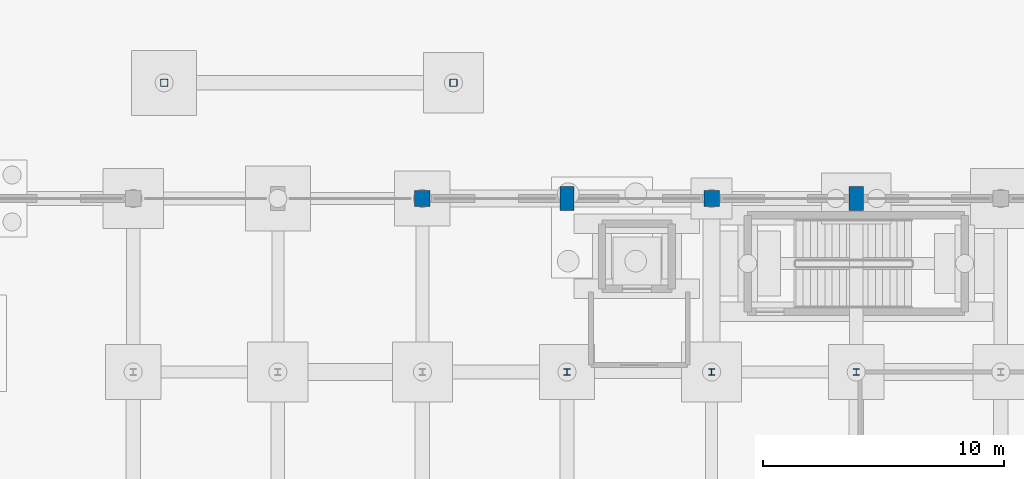
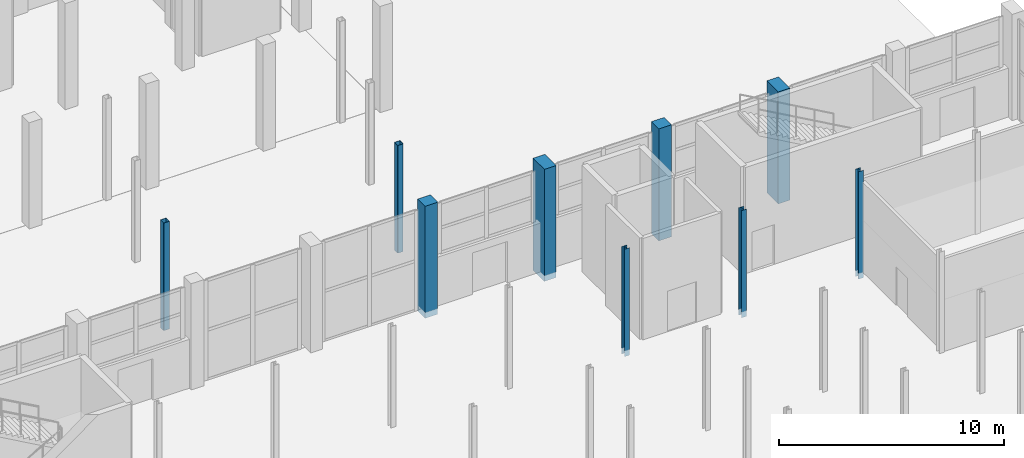
# One storey, part 33 of 103: 9 columns.
"""IFC4 building model written with IfcOpenShell, lengths in metres."""

import ifcopenshell
import ifcopenshell.guid

model = None  # the IFC model being written
_history = None  # IfcOwnerHistory: only IFC2X3 demands one
_inside = {}  # id of a spatial element -> (the spatial element, [elements in it])
_under = {}  # id of a project, library or spatial element -> (it, [spatial elements below it])
_declared = {}  # id of a project -> (the project, [libraries it declares])
_typed = {}  # id of a type object -> (the type object, [elements of that type])
_made_of = {}  # id of a material, layer set ... -> (it, [elements and type objects made of it])


def new_model(schema):
    """Start an empty IFC model of exactly this schema.

    Asked for "IFC4X3", IfcOpenShell would pick the latest addendum, in which some entities
    have other attributes; the version numbers below select the first issue.
    IFC2X3 requires an IfcOwnerHistory on every rooted entity: one is made here for all.
    """
    global model, _history
    if schema == "IFC4X3":
        model = ifcopenshell.file(schema_version=(4, 3, 0, 0))
    else:
        model = ifcopenshell.file(schema=schema)
    _inside.clear()
    _under.clear()
    _declared.clear()
    _typed.clear()
    _made_of.clear()
    _history = None
    if model.schema == "IFC2X3":
        org = make("IfcOrganization", Name="unknown")
        user = make(
            "IfcPersonAndOrganization",
            ThePerson=make("IfcPerson", FamilyName="unknown"),
            TheOrganization=org,
        )
        app = make(
            "IfcApplication",
            ApplicationDeveloper=org,
            Version="unknown",
            ApplicationFullName="unknown",
            ApplicationIdentifier="unknown",
        )
        _history = make(
            "IfcOwnerHistory",
            OwningUser=user,
            OwningApplication=app,
            ChangeAction="ADDED",
            CreationDate=0,
        )
    return model


def make(cls, **values):
    """One entity of the class cls with the attributes given. An attribute that is None is left unset."""
    return model.create_entity(
        cls, **{name: value for name, value in values.items() if value is not None}
    )


def rooted(cls, **values):
    """An entity with a GlobalId (a new one), such as an element, a storey or a relation."""
    return make(cls, GlobalId=ifcopenshell.guid.new(), OwnerHistory=_history, **values)


def si_unit(unit_type, name, prefix=None):
    """IfcSIUnit, for example si_unit("LENGTHUNIT", "METRE", prefix="MILLI")."""
    return make("IfcSIUnit", UnitType=unit_type, Prefix=prefix, Name=name)


def assignment(units):
    """IfcUnitAssignment: the units of a project."""
    return None if units is None else make("IfcUnitAssignment", Units=units)


def point(xyz):
    """IfcCartesianPoint."""
    return None if xyz is None else make("IfcCartesianPoint", Coordinates=xyz)


def direction(xyz):
    """IfcDirection."""
    return None if xyz is None else make("IfcDirection", DirectionRatios=xyz)


def frame(location, z_axis=None, x_axis=None):
    """IfcAxis2Placement3D, a coordinate frame: its origin and axes. An axis left out is left unset."""
    return make(
        "IfcAxis2Placement3D",
        Location=point(location),
        Axis=direction(z_axis),
        RefDirection=direction(x_axis),
    )


def frame_2d(location, x_axis=None):
    """IfcAxis2Placement2D, a coordinate frame in the plane: its origin and x axis."""
    return make(
        "IfcAxis2Placement2D", Location=point(location), RefDirection=direction(x_axis)
    )


def origin():
    """The frame at (0, 0, 0) with its axes left unset."""
    return frame((0.0, 0.0, 0.0))


def origin_2d():
    """The frame at (0, 0) in the plane with its x axis left unset."""
    return frame_2d((0.0, 0.0))


def place(relative_to, where):
    """IfcLocalPlacement: puts the frame where relative to a parent placement (None: the world)."""
    return make(
        "IfcLocalPlacement", PlacementRelTo=relative_to, RelativePlacement=where
    )


def context(
    kind, dimensions, precision=None, world=None, true_north=None, identifier=None
):
    """IfcGeometricRepresentationContext, for example the 3D "Model" context."""
    return make(
        "IfcGeometricRepresentationContext",
        ContextIdentifier=identifier,
        ContextType=kind,
        CoordinateSpaceDimension=dimensions,
        Precision=precision,
        WorldCoordinateSystem=world,
        TrueNorth=true_north,
    )


def subcontext(parent, identifier, kind, view, scale=None):
    """IfcGeometricRepresentationSubContext, for example "Body" below "Model"."""
    return make(
        "IfcGeometricRepresentationSubContext",
        ContextIdentifier=identifier,
        ContextType=kind,
        ParentContext=parent,
        TargetScale=scale,
        TargetView=view,
    )


def project(units=None, contexts=None):
    """IfcProject with its units and contexts."""
    return rooted(
        "IfcProject",
        Name="project",
        RepresentationContexts=contexts,
        UnitsInContext=assignment(units),
    )


def spatial(cls, under=None, at=None, **own):
    """A site, building, storey or space (cls), placed at a placement, below another one or the project."""
    s = rooted(cls, ObjectPlacement=at, **own)
    if under is not None:
        _under.setdefault(under.id(), (under, []))[1].append(s)
    return s


def profile(cls, at=None, kind="AREA", **sizes):
    """A parametric profile (cls). Its sizes go by their IFC names, for example OverallWidth=200.0."""
    return make(cls, ProfileType=kind, Position=at, **sizes)


def rectangle(**sizes):
    """IfcRectangleProfileDef."""
    return profile("IfcRectangleProfileDef", **sizes)


def hollow_rectangle(**sizes):
    """IfcRectangleHollowProfileDef."""
    return profile("IfcRectangleHollowProfileDef", **sizes)


def i_section(**sizes):
    """IfcIShapeProfileDef."""
    return profile("IfcIShapeProfileDef", **sizes)


def extrude(swept, where, along, depth):
    """IfcExtrudedAreaSolid: the profile swept, set in the frame where, extruded along a direction by depth."""
    return make(
        "IfcExtrudedAreaSolid",
        SweptArea=swept,
        Position=where,
        ExtrudedDirection=direction(along),
        Depth=depth,
    )


def shape(context_of_items, identifier, shape_type, items):
    """IfcShapeRepresentation: the items that make up one representation, for example the "Body"."""
    return make(
        "IfcShapeRepresentation",
        ContextOfItems=context_of_items,
        RepresentationIdentifier=identifier,
        RepresentationType=shape_type,
        Items=items,
    )


def material(Name=None, Category=None):
    """IfcMaterial."""
    return make("IfcMaterial", Name=Name, Category=Category)


def material_profile(
    of_material, cross_section, Name=None, Category=None, Priority=None
):
    """IfcMaterialProfile: a cross section and its material."""
    return make(
        "IfcMaterialProfile",
        Name=Name,
        Material=of_material,
        Profile=cross_section,
        Priority=Priority,
        Category=Category,
    )


def profile_set(profiles, Name=None, composite=None):
    """IfcMaterialProfileSet."""
    return make(
        "IfcMaterialProfileSet",
        Name=Name,
        MaterialProfiles=profiles,
        CompositeProfile=composite,
    )


def made_of(thing, what):
    """Note that an element or type object is made of a material, layer set ...; save() writes the relation."""
    if what is not None:
        _made_of.setdefault(what.id(), (what, []))[1].append(thing)
    return thing


def type_object(cls, material=None, **own):
    """A type object (cls), such as IfcWallType, which elements share."""
    return made_of(rooted(cls, **own), material)


def element(
    cls,
    number,
    at=None,
    inside=None,
    cuts=None,
    type_object=None,
    material=None,
    context=None,
    identifier="Body",
    shape_type=None,
    held_by="IfcProductDefinitionShape",
    body=None,
    shapes=None,
    **own,
):
    """One element of the class cls, such as IfcWall. Its Tag is "e" and its number.

    at: its placement. inside: the storey or other place that contains it. cuts: it is an
    opening in that element (IfcRelVoidsElement). A single representation is given by context,
    identifier, shape_type and body (its items); several are given by shapes. held_by: the class
    of the entity that holds the representations. save() writes the other relations.
    """
    e = rooted(cls, Tag="e%d" % number, ObjectPlacement=at, **own)
    if body is not None:
        shapes = [shape(context, identifier, shape_type, body)]
    if shapes is not None:
        e.Representation = make(held_by, Representations=shapes)
    if inside is not None:
        _inside.setdefault(inside.id(), (inside, []))[1].append(e)
    if cuts is not None:
        rooted(
            "IfcRelVoidsElement", RelatingBuildingElement=cuts, RelatedOpeningElement=e
        )
    if type_object is not None:
        _typed.setdefault(type_object.id(), (type_object, []))[1].append(e)
    return made_of(e, material)


def aggregate(whole, parts):
    """IfcRelAggregates: a whole, such as a stair, and the parts it consists of."""
    return rooted("IfcRelAggregates", RelatingObject=whole, RelatedObjects=parts)


def save(model, path):
    """Write the relations noted so far, then the file.

    IfcRelAggregates (storeys below a building ...), IfcRelContainedInSpatialStructure (elements
    in a storey), IfcRelDefinesByType, IfcRelAssociatesMaterial and IfcRelDeclares: one each for
    every whole, place, type object, material and project.
    """
    for whole, parts in _under.values():
        aggregate(whole, parts)
    for where, things in _inside.values():
        rooted(
            "IfcRelContainedInSpatialStructure",
            RelatedElements=things,
            RelatingStructure=where,
        )
    for kind, things in _typed.values():
        rooted("IfcRelDefinesByType", RelatedObjects=things, RelatingType=kind)
    for what, things in _made_of.values():
        rooted("IfcRelAssociatesMaterial", RelatedObjects=things, RelatingMaterial=what)
    for by, libraries in _declared.values():
        rooted("IfcRelDeclares", RelatingContext=by, RelatedDefinitions=libraries)
    model.write(path)


model = new_model("IFC4")

# Units and contexts
model_context = context("Model", 3, precision=1e-05, world=origin(), true_north=direction((0.0, 1.0)))
body_context = subcontext(model_context, "Body", "Model", "MODEL_VIEW")
ifc_project = project(units=[si_unit("LENGTHUNIT", "METRE"), si_unit("AREAUNIT", "SQUARE_METRE"), si_unit("VOLUMEUNIT", "CUBIC_METRE"), si_unit("PLANEANGLEUNIT", "RADIAN"), si_unit("MASSUNIT", "GRAM", prefix="KILO")], contexts=[model_context])

# Site, building, storey
site_placement = place(None, origin())
site = spatial("IfcSite", under=ifc_project, at=site_placement, CompositionType="ELEMENT")
building_placement = place(site_placement, origin())
building = spatial("IfcBuilding", under=site, at=building_placement, Name="Dunvalen Ferry Terminal", CompositionType="ELEMENT")
storey_placement = place(building_placement, origin())
storey = spatial("IfcBuildingStorey", under=building, at=storey_placement, Name="L00", CompositionType="ELEMENT", Elevation=0.0)

# Columns
ifc_material_1 = material(Name="Concrete C40/50", Category="concrete")
ifc_material_profile_1 = material_profile(ifc_material_1, rectangle(XDim=0.60009765625, YDim=1.0, at=origin_2d()), Name="Concrete C40/50")
ifc_profile_set_1 = profile_set([ifc_material_profile_1], Name="Concrete C40/50")
column_type_1 = type_object("IfcColumnType", Name="STR-COL-PIER1000", PredefinedType="COLUMN", material=ifc_profile_set_1)
for number, where, z_axis, x_axis, name in (
    (1, (144.0, 86.39990234375, -0.320068359375), (0.0, 0.0, 1.0), (1.0, 0.0, 0.0), "L00 Arrivals Hall Pier 18"),
    (2, (156.0, 86.39990234375, -0.320068359375), (0.0, 0.0, 1.0), (1.0, 0.0, 0.0), "L00 Arrivals Hall Pier 20"),
):
    element("IfcColumn", number, at=place(storey_placement, frame(where, z_axis=z_axis, x_axis=x_axis)), inside=storey, type_object=column_type_1, Name=name, PredefinedType="COLUMN", context=body_context, shape_type="SweptSolid", body=[
        extrude(rectangle(XDim=0.60009765625, YDim=1.0, at=origin_2d()), origin(), (0.0, 0.0, 1.0), 6.080078125),
    ])
ifc_material_profile_2 = material_profile(ifc_material_1, rectangle(XDim=0.64990234375, YDim=0.64990234375, at=origin_2d()), Name="Concrete C40/50")
ifc_profile_set_2 = profile_set([ifc_material_profile_2], Name="Concrete C40/50")
column_type_2 = type_object("IfcColumnType", Name="STR-COL-RC650", PredefinedType="COLUMN", material=ifc_profile_set_2)
for number, where, z_axis, x_axis, name in (
    (3, (138.0, 86.39990234375, -0.320068359375), (0.0, 0.0, 1.0), (1.0, 0.0, 0.0), "L00 Arrivals Hall Pier 17"),
    (4, (150.0, 86.39990234375, -0.320068359375), (0.0, 0.0, 1.0), (1.0, 0.0, 0.0), "L00 Arrivals Hall Pier 19"),
):
    element("IfcColumn", number, at=place(storey_placement, frame(where, z_axis=z_axis, x_axis=x_axis)), inside=storey, type_object=column_type_2, Name=name, PredefinedType="COLUMN", context=body_context, shape_type="SweptSolid", body=[
        extrude(rectangle(XDim=0.64990234375, YDim=0.64990234375, at=origin_2d()), origin(), (0.0, 0.0, 1.0), 6.080078125),
    ])
ifc_material_2 = material(Name="Steel S355", Category="steel")
ifc_material_profile_3 = material_profile(ifc_material_2, hollow_rectangle(XDim=0.300048828125, YDim=0.300048828125, WallThickness=0.012451171875, InnerFilletRadius=0.012451171875, OuterFilletRadius=0.02490234375, at=origin_2d()), Name="Steel S355")
ifc_profile_set_3 = profile_set([ifc_material_profile_3], Name="Steel S355")
column_type_3 = type_object("IfcColumnType", Name="STR-COL-SHS300", PredefinedType="COLUMN", material=ifc_profile_set_3)
for number, where, z_axis, x_axis, name in (
    (5, (127.2861328125, 91.199951171875, -0.320068359375), (0.0, 0.0, 1.0), (1.0, 0.0, 0.0), "L00 Boarding Bridge 2 Marine Pier 1.2"),
    (6, (139.2861328125, 91.199951171875, -0.320068359375), (0.0, 0.0, 1.0), (1.0, 0.0, 0.0), "L00 Boarding Bridge 2 Marine Pier 2.2"),
):
    element("IfcColumn", number, at=place(storey_placement, frame(where, z_axis=z_axis, x_axis=x_axis)), inside=storey, type_object=column_type_3, Name=name, PredefinedType="COLUMN", context=body_context, shape_type="SweptSolid", body=[
        extrude(hollow_rectangle(XDim=0.300048828125, YDim=0.300048828125, WallThickness=0.012451171875, InnerFilletRadius=0.012451171875, OuterFilletRadius=0.02490234375, at=origin_2d()), origin(), (0.0, 0.0, 1.0), 5.840087890625),
    ])
ifc_material_profile_4 = material_profile(ifc_material_2, i_section(OverallWidth=0.25634765625, OverallDepth=0.26025390625, WebThickness=0.01025390625, FlangeThickness=0.017333984375, FilletRadius=0.0126953125, at=origin_2d()), Name="Steel S355")
ifc_profile_set_4 = profile_set([ifc_material_profile_4], Name="Steel S355")
column_type_4 = type_object("IfcColumnType", Name="STR-COL-UKC254", PredefinedType="COLUMN", material=ifc_profile_set_4)
for number, where, z_axis, x_axis, name in (
    (7, (144.0, 79.199951171875, -0.320068359375), (0.0, 0.0, 1.0), (1.0, 0.0, 0.0), "L00 Immigration Mezzanine Column 144-79"),
    (8, (150.0, 79.199951171875, -0.320068359375), (0.0, 0.0, 1.0), (1.0, 0.0, 0.0), "L00 Immigration Mezzanine Column 150-79"),
    (9, (156.0, 79.199951171875, -0.320068359375), (0.0, 0.0, 1.0), (1.0, 0.0, 0.0), "L00 Immigration Mezzanine Column 156-79"),
):
    element("IfcColumn", number, at=place(storey_placement, frame(where, z_axis=z_axis, x_axis=x_axis)), inside=storey, type_object=column_type_4, Name=name, PredefinedType="COLUMN", context=body_context, shape_type="SweptSolid", body=[
        extrude(i_section(OverallWidth=0.25634765625, OverallDepth=0.26025390625, WebThickness=0.01025390625, FlangeThickness=0.017333984375, FilletRadius=0.0126953125, at=origin_2d()), origin(), (0.0, 0.0, 1.0), 5.820068359375),
    ])

save(model, "model.ifc")
